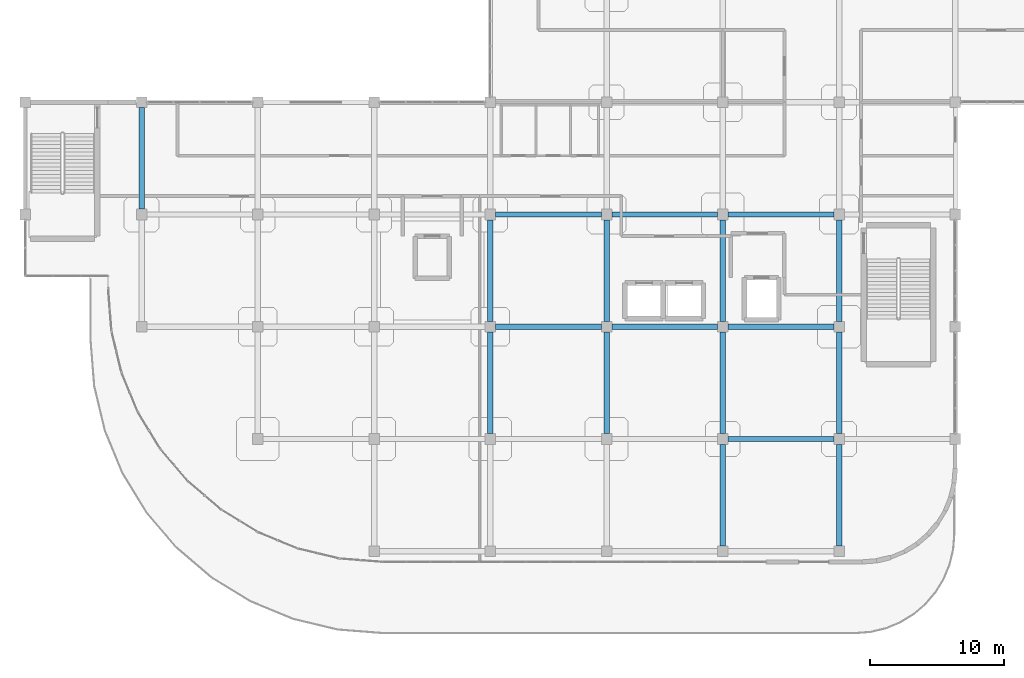
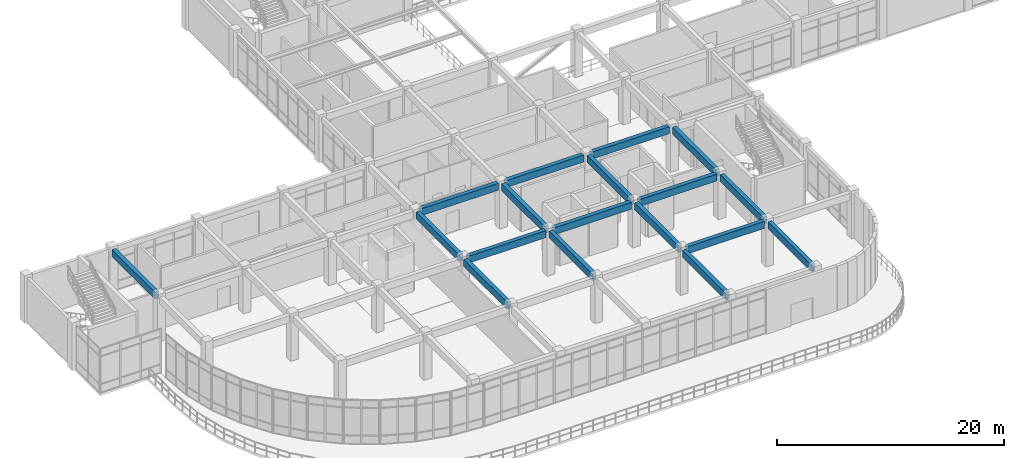
# One storey, part 17 of 96: 18 beams.
"""IFC4 building model written with IfcOpenShell, lengths in metres."""

from ifc_helpers import new_model, si_unit, derived_unit, direction, frame, origin, origin_2d, place, context, subcontext, project, spatial, rectangle, extrude, material, material_profile, profile_set, type_object, element, save


model = new_model("IFC4")

# Units and contexts
model_context = context("Model", 3, precision=1e-05, world=origin(), true_north=direction((0.0, 1.0)))
body_context = subcontext(model_context, "Body", "Model", "MODEL_VIEW")
ifc_project = project(units=[si_unit("LENGTHUNIT", "METRE"), si_unit("AREAUNIT", "SQUARE_METRE"), si_unit("VOLUMEUNIT", "CUBIC_METRE"), si_unit("PLANEANGLEUNIT", "RADIAN"), si_unit("MASSUNIT", "GRAM", prefix="KILO"), derived_unit("THERMALTRANSMITTANCEUNIT", [(si_unit("MASSUNIT", "GRAM", prefix="KILO"), 1), (si_unit("TIMEUNIT", "SECOND"), -3), (si_unit("THERMODYNAMICTEMPERATUREUNIT", "KELVIN"), -1)])], contexts=[model_context])

# Site, building, storey
site_placement = place(None, origin())
site = spatial("IfcSite", under=ifc_project, at=site_placement, CompositionType="ELEMENT")
building_placement = place(site_placement, origin())
building = spatial("IfcBuilding", under=site, at=building_placement, Name="Qinzheling Arcade Emporium", CompositionType="ELEMENT")
storey_placement = place(building_placement, frame((0.0, 0.0, 21.60009765625)))
storey = spatial("IfcBuildingStorey", under=building, at=storey_placement, Name="L05", CompositionType="ELEMENT", Elevation=21.60009765625)

# Beams
ifc_material = material(Name="Concrete C40", Category="concrete")
ifc_material_profile = material_profile(ifc_material, rectangle(XDim=0.39990234375, YDim=0.75, at=origin_2d()), Name="RC 400x750", Category="concrete")
ifc_profile_set = profile_set([ifc_material_profile], Name="Concrete C40")
beam_type = type_object("IfcBeamType", Name="RC Interior Tie Beam 400x750 C40", PredefinedType="BEAM", material=ifc_profile_set)
beam_1_placement = place(storey_placement, frame((52.60009765625, 16.800048828125, 4.44482421875), z_axis=(1.0, 0.0, 0.0), x_axis=(0.0, 1.0, 0.0)))
element("IfcBeam", 1, at=beam_1_placement, inside=storey, type_object=beam_type, Name="Beam BM-L05-X-C-7", PredefinedType="BEAM", context=body_context, shape_type="SweptSolid", body=[
    extrude(rectangle(XDim=0.39990234375, YDim=0.75, at=origin_2d()), origin(), (0.0, 0.0, 1.0), 7.89990234375),
])
for number, where, z_axis, x_axis, name in (
    (2, (35.199951171875, 25.199951171875, 4.44482421875), (1.0, 0.0, 0.0), (0.0, 1.0, 0.0), "Beam BM-L05-X-D-5"),
    (3, (43.89990234375, 25.199951171875, 4.44482421875), (1.0, 0.0, 0.0), (0.0, 1.0, 0.0), "Beam BM-L05-X-D-6"),
):
    element("IfcBeam", number, at=place(storey_placement, frame(where, z_axis=z_axis, x_axis=x_axis)), inside=storey, type_object=beam_type, Name=name, PredefinedType="BEAM", context=body_context, shape_type="SweptSolid", body=[
        extrude(rectangle(XDim=0.39990234375, YDim=0.75, at=origin_2d()), origin(), (0.0, 0.0, 1.0), 7.900146484375),
    ])
beam_2_placement = place(storey_placement, frame((52.60009765625, 25.199951171875, 4.44482421875), z_axis=(1.0, 0.0, 0.0), x_axis=(0.0, 1.0, 0.0)))
element("IfcBeam", 4, at=beam_2_placement, inside=storey, type_object=beam_type, Name="Beam BM-L05-X-D-7", PredefinedType="BEAM", context=body_context, shape_type="SweptSolid", body=[
    extrude(rectangle(XDim=0.39990234375, YDim=0.75, at=origin_2d()), origin(), (0.0, 0.0, 1.0), 7.89990234375),
])
for number, where, z_axis, x_axis, name in (
    (5, (35.199951171875, 33.60009765625, 4.44482421875), (1.0, 0.0, 0.0), (0.0, 1.0, 0.0), "Beam BM-L05-X-E-5"),
    (6, (43.89990234375, 33.60009765625, 4.44482421875), (1.0, 0.0, 0.0), (0.0, 1.0, 0.0), "Beam BM-L05-X-E-6"),
):
    element("IfcBeam", number, at=place(storey_placement, frame(where, z_axis=z_axis, x_axis=x_axis)), inside=storey, type_object=beam_type, Name=name, PredefinedType="BEAM", context=body_context, shape_type="SweptSolid", body=[
        extrude(rectangle(XDim=0.39990234375, YDim=0.75, at=origin_2d()), origin(), (0.0, 0.0, 1.0), 7.900146484375),
    ])
beam_3_placement = place(storey_placement, frame((52.60009765625, 33.60009765625, 4.44482421875), z_axis=(1.0, 0.0, 0.0), x_axis=(0.0, 1.0, 0.0)))
element("IfcBeam", 7, at=beam_3_placement, inside=storey, type_object=beam_type, Name="Beam BM-L05-X-E-7", PredefinedType="BEAM", context=body_context, shape_type="SweptSolid", body=[
    extrude(rectangle(XDim=0.39990234375, YDim=0.75, at=origin_2d()), origin(), (0.0, 0.0, 1.0), 7.89990234375),
])
for number, where, z_axis, x_axis, name in (
    (8, (8.699951171875, 34.0, 4.44482421875), (0.0, 1.0, 0.0), (-1.0, 0.0, 0.0), "Beam BM-L05-Y-2-E"),
    (9, (34.800048828125, 17.199951171875, 4.44482421875), (0.0, 1.0, 0.0), (-1.0, 0.0, 0.0), "Beam BM-L05-Y-5-C"),
):
    element("IfcBeam", number, at=place(storey_placement, frame(where, z_axis=z_axis, x_axis=x_axis)), inside=storey, type_object=beam_type, Name=name, PredefinedType="BEAM", context=body_context, shape_type="SweptSolid", body=[
        extrude(rectangle(XDim=0.39990234375, YDim=0.75, at=origin_2d()), origin(), (0.0, 0.0, 1.0), 7.60009765625),
    ])
beam_4_placement = place(storey_placement, frame((34.800048828125, 25.60009765625, 4.44482421875), z_axis=(0.0, 1.0, 0.0), x_axis=(-1.0, 0.0, 0.0)))
element("IfcBeam", 10, at=beam_4_placement, inside=storey, type_object=beam_type, Name="Beam BM-L05-Y-5-D", PredefinedType="BEAM", context=body_context, shape_type="SweptSolid", body=[
    extrude(rectangle(XDim=0.39990234375, YDim=0.75, at=origin_2d()), origin(), (0.0, 0.0, 1.0), 7.599853515625),
])
beam_5_placement = place(storey_placement, frame((43.5, 17.199951171875, 4.44482421875), z_axis=(0.0, 1.0, 0.0), x_axis=(-1.0, 0.0, 0.0)))
element("IfcBeam", 11, at=beam_5_placement, inside=storey, type_object=beam_type, Name="Beam BM-L05-Y-6-C", PredefinedType="BEAM", context=body_context, shape_type="SweptSolid", body=[
    extrude(rectangle(XDim=0.39990234375, YDim=0.75, at=origin_2d()), origin(), (0.0, 0.0, 1.0), 7.60009765625),
])
for number, where, z_axis, x_axis, name in (
    (12, (43.5, 25.60009765625, 4.44482421875), (0.0, 1.0, 0.0), (-1.0, 0.0, 0.0), "Beam BM-L05-Y-6-D"),
    (13, (52.199951171875, 8.800048828125, 4.44482421875), (0.0, 1.0, 0.0), (-1.0, 0.0, 0.0), "Beam BM-L05-Y-7-B"),
):
    element("IfcBeam", number, at=place(storey_placement, frame(where, z_axis=z_axis, x_axis=x_axis)), inside=storey, type_object=beam_type, Name=name, PredefinedType="BEAM", context=body_context, shape_type="SweptSolid", body=[
        extrude(rectangle(XDim=0.39990234375, YDim=0.75, at=origin_2d()), origin(), (0.0, 0.0, 1.0), 7.599853515625),
    ])
beam_6_placement = place(storey_placement, frame((52.199951171875, 17.199951171875, 4.44482421875), z_axis=(0.0, 1.0, 0.0), x_axis=(-1.0, 0.0, 0.0)))
element("IfcBeam", 14, at=beam_6_placement, inside=storey, type_object=beam_type, Name="Beam BM-L05-Y-7-C", PredefinedType="BEAM", context=body_context, shape_type="SweptSolid", body=[
    extrude(rectangle(XDim=0.39990234375, YDim=0.75, at=origin_2d()), origin(), (0.0, 0.0, 1.0), 7.60009765625),
])
for number, where, z_axis, x_axis, name in (
    (15, (52.199951171875, 25.60009765625, 4.44482421875), (0.0, 1.0, 0.0), (-1.0, 0.0, 0.0), "Beam BM-L05-Y-7-D"),
    (16, (60.89990234375, 8.800048828125, 4.44482421875), (0.0, 1.0, 0.0), (-1.0, 0.0, 0.0), "Beam BM-L05-Y-8-B"),
):
    element("IfcBeam", number, at=place(storey_placement, frame(where, z_axis=z_axis, x_axis=x_axis)), inside=storey, type_object=beam_type, Name=name, PredefinedType="BEAM", context=body_context, shape_type="SweptSolid", body=[
        extrude(rectangle(XDim=0.39990234375, YDim=0.75, at=origin_2d()), origin(), (0.0, 0.0, 1.0), 7.599853515625),
    ])
beam_7_placement = place(storey_placement, frame((60.89990234375, 17.199951171875, 4.44482421875), z_axis=(0.0, 1.0, 0.0), x_axis=(-1.0, 0.0, 0.0)))
element("IfcBeam", 17, at=beam_7_placement, inside=storey, type_object=beam_type, Name="Beam BM-L05-Y-8-C", PredefinedType="BEAM", context=body_context, shape_type="SweptSolid", body=[
    extrude(rectangle(XDim=0.39990234375, YDim=0.75, at=origin_2d()), origin(), (0.0, 0.0, 1.0), 7.60009765625),
])
beam_8_placement = place(storey_placement, frame((60.89990234375, 25.60009765625, 4.44482421875), z_axis=(0.0, 1.0, 0.0), x_axis=(-1.0, 0.0, 0.0)))
element("IfcBeam", 18, at=beam_8_placement, inside=storey, type_object=beam_type, Name="Beam BM-L05-Y-8-D", PredefinedType="BEAM", context=body_context, shape_type="SweptSolid", body=[
    extrude(rectangle(XDim=0.39990234375, YDim=0.75, at=origin_2d()), origin(), (0.0, 0.0, 1.0), 7.599853515625),
])

save(model, "model.ifc")
